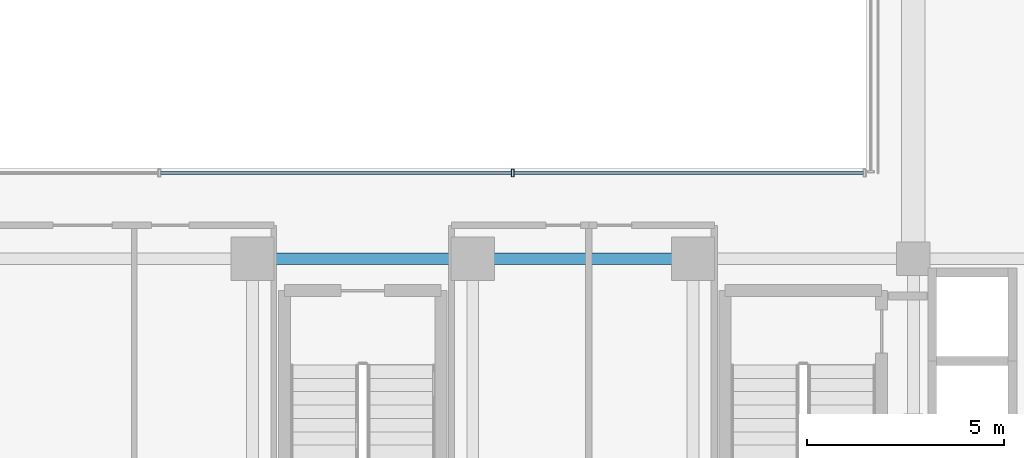
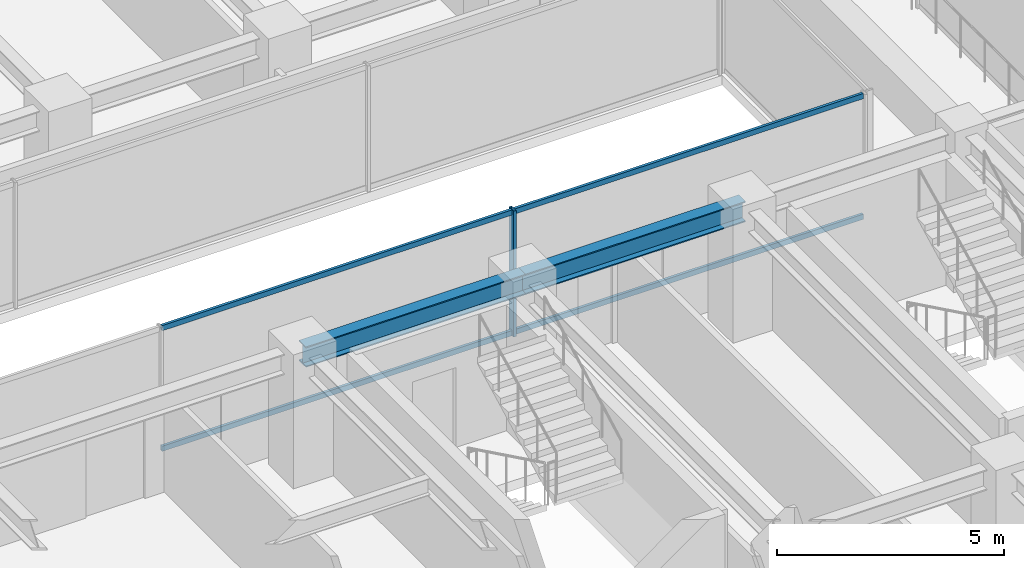
# One storey, part 8 of 38: 5 members, 2 beams, 1 element without a shape of its own.
"""IFC4 building model written with IfcOpenShell, lengths in metres."""

import ifcopenshell
import ifcopenshell.guid

model = None  # the IFC model being written
_history = None  # IfcOwnerHistory: only IFC2X3 demands one
_inside = {}  # id of a spatial element -> (the spatial element, [elements in it])
_under = {}  # id of a project, library or spatial element -> (it, [spatial elements below it])
_declared = {}  # id of a project -> (the project, [libraries it declares])
_typed = {}  # id of a type object -> (the type object, [elements of that type])
_made_of = {}  # id of a material, layer set ... -> (it, [elements and type objects made of it])


def new_model(schema):
    """Start an empty IFC model of exactly this schema.

    Asked for "IFC4X3", IfcOpenShell would pick the latest addendum, in which some entities
    have other attributes; the version numbers below select the first issue.
    IFC2X3 requires an IfcOwnerHistory on every rooted entity: one is made here for all.
    """
    global model, _history
    if schema == "IFC4X3":
        model = ifcopenshell.file(schema_version=(4, 3, 0, 0))
    else:
        model = ifcopenshell.file(schema=schema)
    _inside.clear()
    _under.clear()
    _declared.clear()
    _typed.clear()
    _made_of.clear()
    _history = None
    if model.schema == "IFC2X3":
        org = make("IfcOrganization", Name="unknown")
        user = make(
            "IfcPersonAndOrganization",
            ThePerson=make("IfcPerson", FamilyName="unknown"),
            TheOrganization=org,
        )
        app = make(
            "IfcApplication",
            ApplicationDeveloper=org,
            Version="unknown",
            ApplicationFullName="unknown",
            ApplicationIdentifier="unknown",
        )
        _history = make(
            "IfcOwnerHistory",
            OwningUser=user,
            OwningApplication=app,
            ChangeAction="ADDED",
            CreationDate=0,
        )
    return model


def make(cls, **values):
    """One entity of the class cls with the attributes given. An attribute that is None is left unset."""
    return model.create_entity(
        cls, **{name: value for name, value in values.items() if value is not None}
    )


def rooted(cls, **values):
    """An entity with a GlobalId (a new one), such as an element, a storey or a relation."""
    return make(cls, GlobalId=ifcopenshell.guid.new(), OwnerHistory=_history, **values)


def si_unit(unit_type, name, prefix=None):
    """IfcSIUnit, for example si_unit("LENGTHUNIT", "METRE", prefix="MILLI")."""
    return make("IfcSIUnit", UnitType=unit_type, Prefix=prefix, Name=name)


def assignment(units):
    """IfcUnitAssignment: the units of a project."""
    return None if units is None else make("IfcUnitAssignment", Units=units)


def point(xyz):
    """IfcCartesianPoint."""
    return None if xyz is None else make("IfcCartesianPoint", Coordinates=xyz)


def direction(xyz):
    """IfcDirection."""
    return None if xyz is None else make("IfcDirection", DirectionRatios=xyz)


def frame(location, z_axis=None, x_axis=None):
    """IfcAxis2Placement3D, a coordinate frame: its origin and axes. An axis left out is left unset."""
    return make(
        "IfcAxis2Placement3D",
        Location=point(location),
        Axis=direction(z_axis),
        RefDirection=direction(x_axis),
    )


def frame_2d(location, x_axis=None):
    """IfcAxis2Placement2D, a coordinate frame in the plane: its origin and x axis."""
    return make(
        "IfcAxis2Placement2D", Location=point(location), RefDirection=direction(x_axis)
    )


def origin():
    """The frame at (0, 0, 0) with its axes left unset."""
    return frame((0.0, 0.0, 0.0))


def origin_2d():
    """The frame at (0, 0) in the plane with its x axis left unset."""
    return frame_2d((0.0, 0.0))


def place(relative_to, where):
    """IfcLocalPlacement: puts the frame where relative to a parent placement (None: the world)."""
    return make(
        "IfcLocalPlacement", PlacementRelTo=relative_to, RelativePlacement=where
    )


def context(
    kind, dimensions, precision=None, world=None, true_north=None, identifier=None
):
    """IfcGeometricRepresentationContext, for example the 3D "Model" context."""
    return make(
        "IfcGeometricRepresentationContext",
        ContextIdentifier=identifier,
        ContextType=kind,
        CoordinateSpaceDimension=dimensions,
        Precision=precision,
        WorldCoordinateSystem=world,
        TrueNorth=true_north,
    )


def subcontext(parent, identifier, kind, view, scale=None):
    """IfcGeometricRepresentationSubContext, for example "Body" below "Model"."""
    return make(
        "IfcGeometricRepresentationSubContext",
        ContextIdentifier=identifier,
        ContextType=kind,
        ParentContext=parent,
        TargetScale=scale,
        TargetView=view,
    )


def project(units=None, contexts=None):
    """IfcProject with its units and contexts."""
    return rooted(
        "IfcProject",
        Name="project",
        RepresentationContexts=contexts,
        UnitsInContext=assignment(units),
    )


def spatial(cls, under=None, at=None, **own):
    """A site, building, storey or space (cls), placed at a placement, below another one or the project."""
    s = rooted(cls, ObjectPlacement=at, **own)
    if under is not None:
        _under.setdefault(under.id(), (under, []))[1].append(s)
    return s


def profile(cls, at=None, kind="AREA", **sizes):
    """A parametric profile (cls). Its sizes go by their IFC names, for example OverallWidth=200.0."""
    return make(cls, ProfileType=kind, Position=at, **sizes)


def hollow_rectangle(**sizes):
    """IfcRectangleHollowProfileDef."""
    return profile("IfcRectangleHollowProfileDef", **sizes)


def i_section(**sizes):
    """IfcIShapeProfileDef."""
    return profile("IfcIShapeProfileDef", **sizes)


def extrude(swept, where, along, depth):
    """IfcExtrudedAreaSolid: the profile swept, set in the frame where, extruded along a direction by depth."""
    return make(
        "IfcExtrudedAreaSolid",
        SweptArea=swept,
        Position=where,
        ExtrudedDirection=direction(along),
        Depth=depth,
    )


def shape(context_of_items, identifier, shape_type, items):
    """IfcShapeRepresentation: the items that make up one representation, for example the "Body"."""
    return make(
        "IfcShapeRepresentation",
        ContextOfItems=context_of_items,
        RepresentationIdentifier=identifier,
        RepresentationType=shape_type,
        Items=items,
    )


def source(mapping_origin, context_of_items, identifier, shape_type, items):
    """IfcRepresentationMap: a shape defined once, which mapped items show again and again."""
    return make(
        "IfcRepresentationMap",
        MappingOrigin=mapping_origin,
        MappedRepresentation=shape(context_of_items, identifier, shape_type, items),
    )


def transform(
    local_origin,
    x_axis=None,
    y_axis=None,
    z_axis=None,
    scale=None,
    scale2=None,
    scale3=None,
    uniform=True,
):
    """IfcCartesianTransformationOperator3D, or its non-uniform kind. x_axis, y_axis, z_axis: its Axis1, 2, 3."""
    if uniform:
        return make(
            "IfcCartesianTransformationOperator3D",
            Axis1=direction(x_axis),
            Axis2=direction(y_axis),
            LocalOrigin=point(local_origin),
            Scale=scale,
            Axis3=direction(z_axis),
        )
    return make(
        "IfcCartesianTransformationOperator3DnonUniform",
        Axis1=direction(x_axis),
        Axis2=direction(y_axis),
        LocalOrigin=point(local_origin),
        Scale=scale,
        Axis3=direction(z_axis),
        Scale2=scale2,
        Scale3=scale3,
    )


def mapped(mapping_source, mapping_target):
    """IfcMappedItem: shows the shape of a source again, moved by a transform."""
    return make(
        "IfcMappedItem", MappingSource=mapping_source, MappingTarget=mapping_target
    )


def material(Name=None, Category=None):
    """IfcMaterial."""
    return make("IfcMaterial", Name=Name, Category=Category)


def material_profile(
    of_material, cross_section, Name=None, Category=None, Priority=None
):
    """IfcMaterialProfile: a cross section and its material."""
    return make(
        "IfcMaterialProfile",
        Name=Name,
        Material=of_material,
        Profile=cross_section,
        Priority=Priority,
        Category=Category,
    )


def profile_set(profiles, Name=None, composite=None):
    """IfcMaterialProfileSet."""
    return make(
        "IfcMaterialProfileSet",
        Name=Name,
        MaterialProfiles=profiles,
        CompositeProfile=composite,
    )


def made_of(thing, what):
    """Note that an element or type object is made of a material, layer set ...; save() writes the relation."""
    if what is not None:
        _made_of.setdefault(what.id(), (what, []))[1].append(thing)
    return thing


def type_object(cls, material=None, **own):
    """A type object (cls), such as IfcWallType, which elements share."""
    return made_of(rooted(cls, **own), material)


def element(
    cls,
    number,
    at=None,
    inside=None,
    cuts=None,
    type_object=None,
    material=None,
    context=None,
    identifier="Body",
    shape_type=None,
    held_by="IfcProductDefinitionShape",
    body=None,
    shapes=None,
    **own,
):
    """One element of the class cls, such as IfcWall. Its Tag is "e" and its number.

    at: its placement. inside: the storey or other place that contains it. cuts: it is an
    opening in that element (IfcRelVoidsElement). A single representation is given by context,
    identifier, shape_type and body (its items); several are given by shapes. held_by: the class
    of the entity that holds the representations. save() writes the other relations.
    """
    e = rooted(cls, Tag="e%d" % number, ObjectPlacement=at, **own)
    if body is not None:
        shapes = [shape(context, identifier, shape_type, body)]
    if shapes is not None:
        e.Representation = make(held_by, Representations=shapes)
    if inside is not None:
        _inside.setdefault(inside.id(), (inside, []))[1].append(e)
    if cuts is not None:
        rooted(
            "IfcRelVoidsElement", RelatingBuildingElement=cuts, RelatedOpeningElement=e
        )
    if type_object is not None:
        _typed.setdefault(type_object.id(), (type_object, []))[1].append(e)
    return made_of(e, material)


def aggregate(whole, parts):
    """IfcRelAggregates: a whole, such as a stair, and the parts it consists of."""
    return rooted("IfcRelAggregates", RelatingObject=whole, RelatedObjects=parts)


def save(model, path):
    """Write the relations noted so far, then the file.

    IfcRelAggregates (storeys below a building ...), IfcRelContainedInSpatialStructure (elements
    in a storey), IfcRelDefinesByType, IfcRelAssociatesMaterial and IfcRelDeclares: one each for
    every whole, place, type object, material and project.
    """
    for whole, parts in _under.values():
        aggregate(whole, parts)
    for where, things in _inside.values():
        rooted(
            "IfcRelContainedInSpatialStructure",
            RelatedElements=things,
            RelatingStructure=where,
        )
    for kind, things in _typed.values():
        rooted("IfcRelDefinesByType", RelatedObjects=things, RelatingType=kind)
    for what, things in _made_of.values():
        rooted("IfcRelAssociatesMaterial", RelatedObjects=things, RelatingMaterial=what)
    for by, libraries in _declared.values():
        rooted("IfcRelDeclares", RelatingContext=by, RelatedDefinitions=libraries)
    model.write(path)


model = new_model("IFC4")

# Units and contexts
model_context = context("Model", 3, precision=1e-05, world=origin(), true_north=direction((0.0, 1.0)))
body_context = subcontext(model_context, "Body", "Model", "MODEL_VIEW")
ifc_project = project(units=[si_unit("LENGTHUNIT", "METRE"), si_unit("AREAUNIT", "SQUARE_METRE"), si_unit("VOLUMEUNIT", "CUBIC_METRE"), si_unit("PLANEANGLEUNIT", "RADIAN"), si_unit("MASSUNIT", "GRAM", prefix="KILO")], contexts=[model_context])

# Site, building, storey
site_placement = place(None, origin())
site = spatial("IfcSite", under=ifc_project, at=site_placement, CompositionType="ELEMENT")
building_placement = place(site_placement, origin())
building = spatial("IfcBuilding", under=site, at=building_placement, Name="Nahalor Promenade Grand Hotel", CompositionType="ELEMENT")
storey_placement = place(building_placement, frame((0.0, 0.0, 178.199951171875)))
storey = spatial("IfcBuildingStorey", under=building, at=storey_placement, Name="L45", CompositionType="ELEMENT", Elevation=178.199951171875)

# Beams
ifc_material_1 = material(Name="Steel S355JR", Category="steel")
ifc_material_profile_1 = material_profile(ifc_material_1, i_section(OverallWidth=0.3, OverallDepth=0.55, WebThickness=0.015, FlangeThickness=0.029, at=origin_2d()), Name="HEB 550")
ifc_profile_set_1 = profile_set([ifc_material_profile_1], Name="Steel S355JR")
beam_type = type_object("IfcBeamType", Name="Beam-Girder-HEB550", PredefinedType="BEAM", material=ifc_profile_set_1)
shared_shape_1 = source(origin(), body_context, "Body", "SweptSolid", [
    extrude(i_section(OverallWidth=0.3, OverallDepth=0.55, WebThickness=0.015, FlangeThickness=0.029, at=origin_2d()), origin(), (0.0, 0.0, 1.0), 5.599853515625),
])
beam_1_placement = place(storey_placement, frame((-8.39990234375, -5.39990234375, 3.114990234375), z_axis=(1.0, 0.0, 0.0), x_axis=(0.0, 1.0, 0.0)))
element("IfcBeam", 1, at=beam_1_placement, inside=storey, type_object=beam_type, Name="BM-L45-GX-1-2", PredefinedType="BEAM", context=body_context, shape_type="MappedRepresentation", body=[
    mapped(shared_shape_1, transform((0.0, 0.0, 0.0), scale=1.0)),
])
shared_shape_2 = source(origin(), body_context, "Body", "SweptSolid", [
    extrude(i_section(OverallWidth=0.3, OverallDepth=0.55, WebThickness=0.015, FlangeThickness=0.029, at=origin_2d()), origin(), (0.0, 0.0, 1.0), 5.60009765625),
])
beam_2_placement = place(storey_placement, frame((-2.800048828125, -5.39990234375, 3.114990234375), z_axis=(1.0, 0.0, 0.0), x_axis=(0.0, 1.0, 0.0)))
element("IfcBeam", 2, at=beam_2_placement, inside=storey, type_object=beam_type, Name="BM-L45-GX-1-3", PredefinedType="BEAM", context=body_context, shape_type="MappedRepresentation", body=[
    mapped(shared_shape_2, transform((0.0, 0.0, 0.0), scale=1.0)),
])

# Curtain wall, members
ifc_material_2 = material(Name="Anodised Bronze Aluminium EN AW-6063 T6", Category="aluminium")
curtain_wall_type = type_object("IfcCurtainWallType", Name="CW3 Elliptical-Void Collar Unitised Curtain Wall", PredefinedType="USERDEFINED", material=ifc_material_2)
curtain_wall_placement = place(storey_placement, origin())
curtain_wall = element("IfcCurtainWall", 3, at=curtain_wall_placement, inside=storey, type_object=curtain_wall_type, Name="L45 Curtain Wall CW-L45-VOID-WS1", ObjectType="UNITISED_CURTAIN_WALL", PredefinedType="USERDEFINED")
ifc_material_profile_2 = material_profile(ifc_material_2, hollow_rectangle(XDim=0.07, YDim=0.2, WallThickness=0.005, at=origin_2d()), Name="CWM 70x200x5")
ifc_profile_set_2 = profile_set([ifc_material_profile_2], Name="Anodised Bronze Aluminium EN AW-6063 T6")
member_type_1 = type_object("IfcMemberType", Name="CWM3 Void Collar Mullion 70x200", PredefinedType="MULLION", material=ifc_profile_set_2)
shared_shape_3 = source(origin(), body_context, "Body", "SweptSolid", [
    extrude(hollow_rectangle(XDim=0.07, YDim=0.2, WallThickness=0.005, at=origin_2d()), origin(), (0.0, 0.0, 1.0), 3.39013671875),
])
member_1_placement = place(storey_placement, frame((-1.78662109375, -3.219970703125, 0.0), z_axis=(0.0, 0.0, 1.0), x_axis=(1.0, 0.0, 0.0)))
member_1 = element("IfcMember", 4, at=member_1_placement, type_object=member_type_1, Name="CW-L45-VOID-WS1 Mullion 2", PredefinedType="MULLION", context=body_context, shape_type="MappedRepresentation", body=[
    mapped(shared_shape_3, transform((0.0, 0.0, 0.0), scale=1.0)),
])
ifc_material_profile_3 = material_profile(ifc_material_2, hollow_rectangle(XDim=0.07, YDim=0.14, WallThickness=0.004, at=origin_2d()), Name="CWT 70x140x4")
ifc_profile_set_3 = profile_set([ifc_material_profile_3], Name="Anodised Bronze Aluminium EN AW-6063 T6")
member_type_2 = type_object("IfcMemberType", Name="CWT3 Void Collar Transom 70x140", PredefinedType="USERDEFINED", material=ifc_profile_set_3)
shared_shape_4 = source(origin(), body_context, "Body", "SweptSolid", [
    extrude(hollow_rectangle(XDim=0.07, YDim=0.14, WallThickness=0.004, at=origin_2d()), origin(), (0.0, 0.0, 1.0), 8.881591796875),
])
member_2_placement = place(storey_placement, frame((-1.751708984375, -3.219970703125, 0.070068359375), z_axis=(1.0, 0.0, 0.0), x_axis=(0.0, 1.0, 0.0)))
member_2 = element("IfcMember", 5, at=member_2_placement, type_object=member_type_2, Name="CW-L45-VOID-WS1 Transom 2-0", ObjectType="TRANSOM", PredefinedType="USERDEFINED", context=body_context, shape_type="MappedRepresentation", body=[
    mapped(shared_shape_4, transform((0.0, 0.0, 0.0), scale=1.0)),
])
member_3_placement = place(storey_placement, frame((-1.751708984375, -3.219970703125, 3.320068359375), z_axis=(1.0, 0.0, 0.0), x_axis=(0.0, 1.0, 0.0)))
member_3 = element("IfcMember", 6, at=member_3_placement, type_object=member_type_2, Name="CW-L45-VOID-WS1 Transom 2-1", ObjectType="TRANSOM", PredefinedType="USERDEFINED", context=body_context, shape_type="MappedRepresentation", body=[
    mapped(shared_shape_4, transform((0.0, 0.0, 0.0), scale=1.0)),
])
shared_shape_5 = source(origin(), body_context, "Body", "SweptSolid", [
    extrude(hollow_rectangle(XDim=0.07, YDim=0.14, WallThickness=0.004, at=origin_2d()), origin(), (0.0, 0.0, 1.0), 8.91650390625),
])
member_4_placement = place(storey_placement, frame((-10.73828125, -3.219970703125, 0.070068359375), z_axis=(1.0, 0.0, 0.0), x_axis=(0.0, 1.0, 0.0)))
member_4 = element("IfcMember", 7, at=member_4_placement, type_object=member_type_2, Name="CW-L45-VOID-WS1 Transom 1-0", ObjectType="TRANSOM", PredefinedType="USERDEFINED", context=body_context, shape_type="MappedRepresentation", body=[
    mapped(shared_shape_5, transform((0.0, 0.0, 0.0), scale=1.0)),
])
member_5_placement = place(storey_placement, frame((-10.73828125, -3.219970703125, 3.320068359375), z_axis=(1.0, 0.0, 0.0), x_axis=(0.0, 1.0, 0.0)))
member_5 = element("IfcMember", 8, at=member_5_placement, type_object=member_type_2, Name="CW-L45-VOID-WS1 Transom 1-1", ObjectType="TRANSOM", PredefinedType="USERDEFINED", context=body_context, shape_type="MappedRepresentation", body=[
    mapped(shared_shape_5, transform((0.0, 0.0, 0.0), scale=1.0)),
])
aggregate(curtain_wall, [member_1, member_4, member_5, member_2, member_3])

save(model, "model.ifc")
